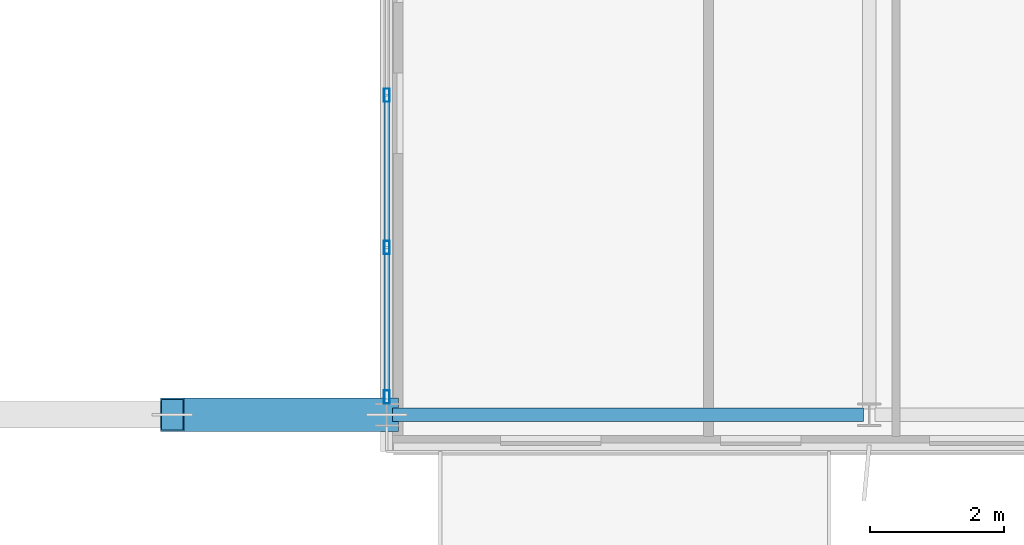
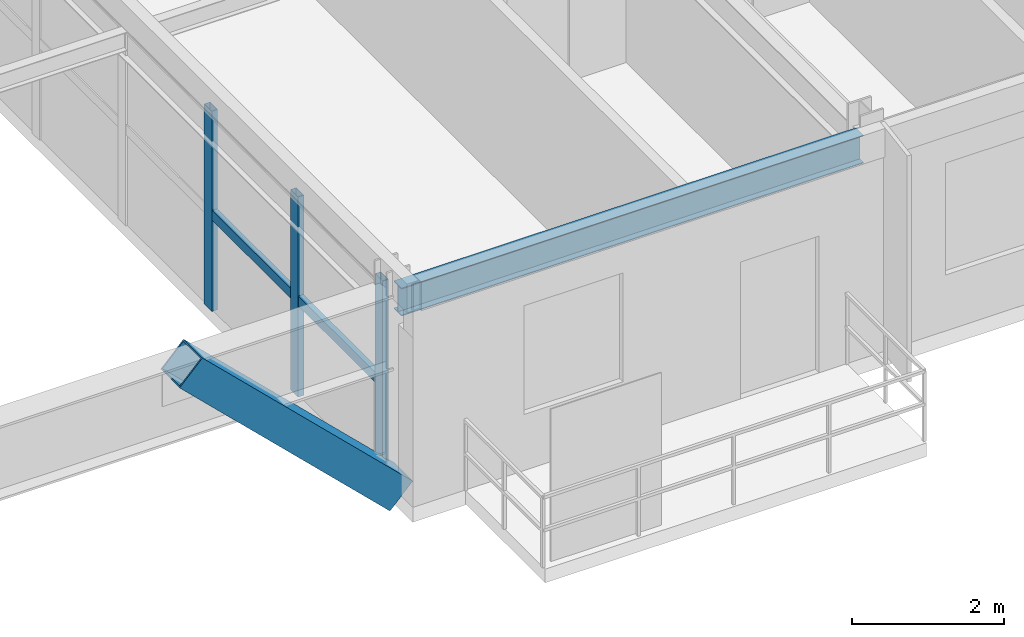
# One storey, part 12 of 37: 6 members, 1 beam, 1 element without a shape of its own.
"""IFC4 building model written with IfcOpenShell, lengths in metres."""

from ifc_helpers import new_model, si_unit, direction, frame, origin, origin_2d, place, context, subcontext, project, spatial, hollow_rectangle, i_section, extrude, source, transform, mapped, material, material_profile, profile_set, type_object, element, aggregate, save


model = new_model("IFC4")

# Units and contexts
model_context = context("Model", 3, precision=1e-05, world=origin(), true_north=direction((0.0, 1.0)))
body_context = subcontext(model_context, "Body", "Model", "MODEL_VIEW")
ifc_project = project(units=[si_unit("LENGTHUNIT", "METRE"), si_unit("AREAUNIT", "SQUARE_METRE"), si_unit("VOLUMEUNIT", "CUBIC_METRE"), si_unit("PLANEANGLEUNIT", "RADIAN"), si_unit("MASSUNIT", "GRAM", prefix="KILO")], contexts=[model_context])

# Site, building, storey
site_placement = place(None, origin())
site = spatial("IfcSite", under=ifc_project, at=site_placement, CompositionType="ELEMENT")
building_placement = place(site_placement, origin())
building = spatial("IfcBuilding", under=site, at=building_placement, Name="Trelvane Seafront Commons", CompositionType="ELEMENT")
storey_placement = place(building_placement, frame((0.0, 0.0, 201.300048828125)))
storey = spatial("IfcBuildingStorey", under=building, at=storey_placement, Name="L52", CompositionType="ELEMENT", Elevation=201.300048828125)

# Beam
ifc_material_1 = material(Name="Steel SM355 (S355)", Category="steel")
ifc_material_profile_1 = material_profile(ifc_material_1, i_section(OverallWidth=0.199951171875, OverallDepth=0.449951171875, WebThickness=0.009033203125, FlangeThickness=0.013916015625, at=origin_2d()), Name="H-450x200x9x14")
ifc_profile_set_1 = profile_set([ifc_material_profile_1], Name="Steel SM355 (S355)")
beam_type = type_object("IfcBeamType", Name="STR-SPD-H450", PredefinedType="SPANDREL", material=ifc_profile_set_1)
shared_shape_1 = source(origin(), body_context, "Body", "SweptSolid", [
    extrude(i_section(OverallWidth=0.199951171875, OverallDepth=0.449951171875, WebThickness=0.009033203125, FlangeThickness=0.013916015625, at=origin_2d()), origin(), (0.0, 0.0, 1.0), 7.025146484375),
])
beam_placement = place(storey_placement, frame((43.887451171875, 3.949951171875, 2.994873046875), z_axis=(1.0, 0.0, 0.0), x_axis=(0.0, 1.0, 0.0)))
element("IfcBeam", 1, at=beam_placement, inside=storey, type_object=beam_type, Name="L52 Primary Girder G-05", PredefinedType="SPANDREL", context=body_context, shape_type="MappedRepresentation", body=[
    mapped(shared_shape_1, transform((0.0, 0.0, 0.0), x_axis=(1.0, 0.0, 0.0), y_axis=(0.0, 1.0, 0.0), z_axis=(0.0, 0.0, 1.0), scale=1.0)),
])

# Member
ifc_material_profile_2 = material_profile(ifc_material_1, hollow_rectangle(XDim=0.5, YDim=0.5, WallThickness=0.02197265625, at=origin_2d()), Name="RHS-500x500x22")
ifc_profile_set_2 = profile_set([ifc_material_profile_2], Name="Steel SM355 (S355)")
member_type_1 = type_object("IfcMemberType", Name="STR-BRC-RHS500", PredefinedType="BRACE", material=ifc_profile_set_2)
shared_shape_2 = source(origin(), body_context, "Body", "SweptSolid", [
    extrude(hollow_rectangle(XDim=0.5, YDim=0.5, WallThickness=0.02197265625, at=origin_2d()), origin(), (0.0, 0.0, 1.0), 4.455078125),
])
member_1_placement = place(storey_placement, frame((43.800048828125, 3.949951171875, 0.0), z_axis=(-0.71825134815, 0.0, 0.6957837314), x_axis=(0.0, -1.0, 0.0)))
element("IfcMember", 2, at=member_1_placement, inside=storey, type_object=member_type_1, Name="L52 Void-Portal V-Frame Strut VS-SE", PredefinedType="BRACE", context=body_context, shape_type="MappedRepresentation", body=[
    mapped(shared_shape_2, transform((0.0, 0.0, 0.0), x_axis=(1.0, 0.0, 0.0), y_axis=(0.0, 1.0, 0.0), z_axis=(0.0, 0.0, 1.0), scale=1.0)),
])

# Curtain wall, members
ifc_material_2 = material(Name="Anodised pale-silver aluminium", Category="aluminium")
curtain_wall_type = type_object("IfcCurtainWallType", Name="ARCH-CW3-PORTAL", PredefinedType="NOTDEFINED", material=ifc_material_2)
curtain_wall_placement = place(storey_placement, origin())
curtain_wall = element("IfcCurtainWall", 3, at=curtain_wall_placement, inside=storey, type_object=curtain_wall_type, Name="CW-L52-VP-0095", PredefinedType="NOTDEFINED")
ifc_material_profile_3 = material_profile(ifc_material_2, hollow_rectangle(XDim=0.090087890625, YDim=0.199951171875, WallThickness=0.0048828125, at=origin_2d()), Name="MULL-90x200x5")
ifc_profile_set_3 = profile_set([ifc_material_profile_3], Name="Anodised pale-silver aluminium")
member_type_2 = type_object("IfcMemberType", Name="ARCH-CW-MULL-200", PredefinedType="MULLION", material=ifc_profile_set_3)
shared_shape_3 = source(origin(), body_context, "Body", "SweptSolid", [
    extrude(hollow_rectangle(XDim=0.090087890625, YDim=0.199951171875, WallThickness=0.0048828125, at=origin_2d()), origin(), (0.0, 0.0, 1.0), 3.219970703125),
])
member_2_placement = place(storey_placement, frame((43.800048828125, 8.716796875, 0.0), z_axis=(0.0, 0.0, 1.0), x_axis=(1.0, 0.0, 0.0)))
member_2 = element("IfcMember", 4, at=member_2_placement, type_object=member_type_2, Name="CW-L52-VP-0095-M04", PredefinedType="MULLION", context=body_context, shape_type="MappedRepresentation", body=[
    mapped(shared_shape_3, transform((0.0, 0.0, 0.0), x_axis=(1.0, 0.0, 0.0), y_axis=(0.0, 1.0, 0.0), z_axis=(0.0, 0.0, 1.0), scale=1.0)),
])
member_3_placement = place(storey_placement, frame((43.800048828125, 6.44580078125, 0.0), z_axis=(0.0, 0.0, 1.0), x_axis=(1.0, 0.0, 0.0)))
member_3 = element("IfcMember", 5, at=member_3_placement, type_object=member_type_2, Name="CW-L52-VP-0095-M05", PredefinedType="MULLION", context=body_context, shape_type="MappedRepresentation", body=[
    mapped(shared_shape_3, transform((0.0, 0.0, 0.0), x_axis=(1.0, 0.0, 0.0), y_axis=(0.0, 1.0, 0.0), z_axis=(0.0, 0.0, 1.0), scale=1.0)),
])
member_4_placement = place(storey_placement, frame((43.800048828125, 4.215087890625, 0.0), z_axis=(0.0, 0.0, 1.0), x_axis=(1.0, 0.0, 0.0)))
member_4 = element("IfcMember", 6, at=member_4_placement, type_object=member_type_2, Name="CW-L52-VP-0095-M06", PredefinedType="MULLION", context=body_context, shape_type="MappedRepresentation", body=[
    mapped(shared_shape_3, transform((0.0, 0.0, 0.0), x_axis=(1.0, 0.0, 0.0), y_axis=(0.0, 1.0, 0.0), z_axis=(0.0, 0.0, 1.0), scale=1.0)),
])
ifc_material_profile_4 = material_profile(ifc_material_2, hollow_rectangle(XDim=0.080078125, YDim=0.159912109375, WallThickness=0.00439453125, at=origin_2d()), Name="TRAN-80x160x4.5")
ifc_profile_set_4 = profile_set([ifc_material_profile_4], Name="Anodised pale-silver aluminium")
member_type_3 = type_object("IfcMemberType", Name="ARCH-CW-TRAN-160", PredefinedType="USERDEFINED", material=ifc_profile_set_4)
shared_shape_4 = source(origin(), body_context, "Body", "SweptSolid", [
    extrude(hollow_rectangle(XDim=0.080078125, YDim=0.159912109375, WallThickness=0.00439453125, at=origin_2d()), origin(), (0.0, 0.0, 1.0), 2.246826171875),
])
member_5_placement = place(storey_placement, frame((43.800048828125, 8.70458984375, 1.5458984375), z_axis=(0.0, -1.0, 0.0), x_axis=(1.0, 0.0, 0.0)))
member_5 = element("IfcMember", 7, at=member_5_placement, type_object=member_type_3, Name="CW-L52-VP-0095-T04", ObjectType="TRANSOM", PredefinedType="USERDEFINED", context=body_context, shape_type="MappedRepresentation", body=[
    mapped(shared_shape_4, transform((0.0, 0.0, 0.0), x_axis=(1.0, 0.0, 0.0), y_axis=(0.0, 1.0, 0.0), z_axis=(0.0, 0.0, 1.0), scale=1.0)),
])
member_6_placement = place(storey_placement, frame((43.800048828125, 6.433837890625, 1.5458984375), z_axis=(0.0, -1.0, 0.0), x_axis=(1.0, 0.0, 0.0)))
member_6 = element("IfcMember", 8, at=member_6_placement, type_object=member_type_3, Name="CW-L52-VP-0095-T05", ObjectType="TRANSOM", PredefinedType="USERDEFINED", context=body_context, shape_type="MappedRepresentation", body=[
    mapped(shared_shape_4, transform((0.0, 0.0, 0.0), x_axis=(1.0, 0.0, 0.0), y_axis=(0.0, 1.0, 0.0), z_axis=(0.0, 0.0, 1.0), scale=1.0)),
])
aggregate(curtain_wall, [member_2, member_3, member_4, member_5, member_6])

save(model, "model.ifc")
